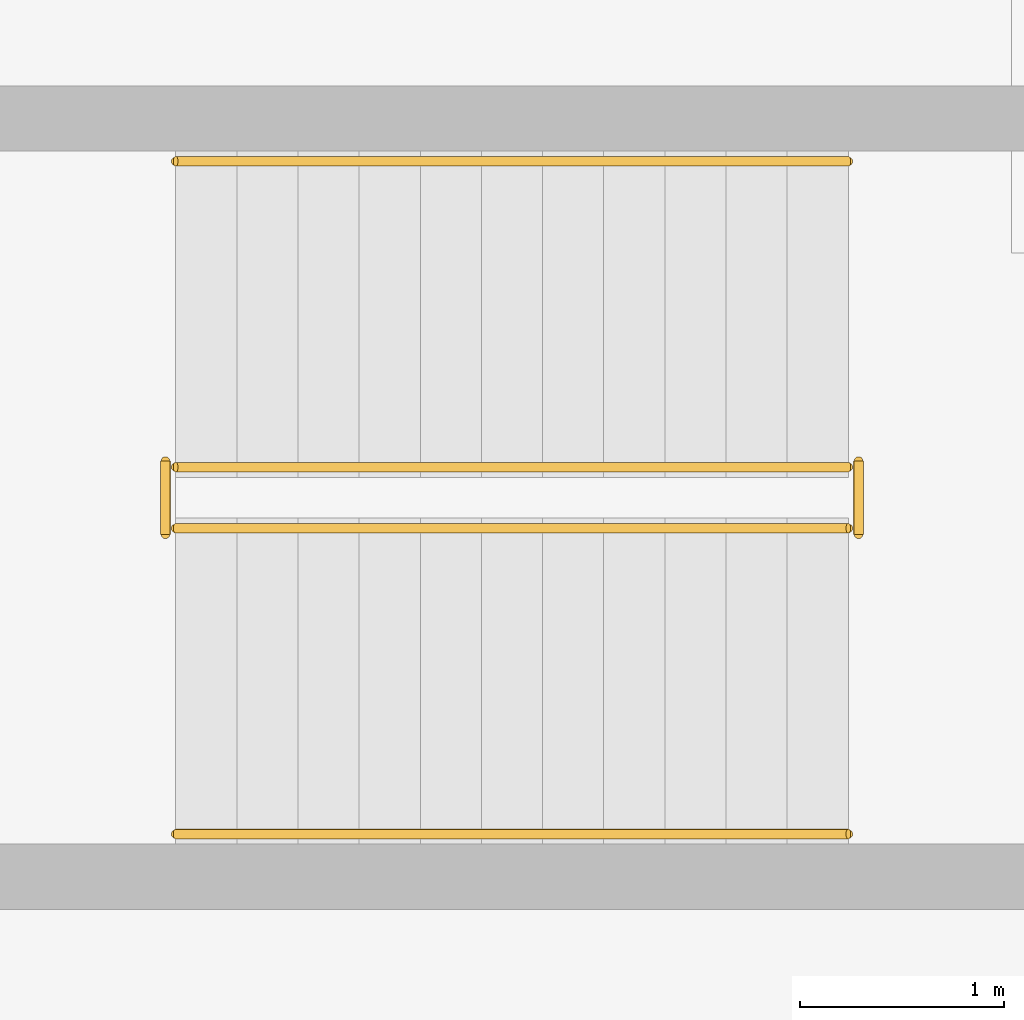
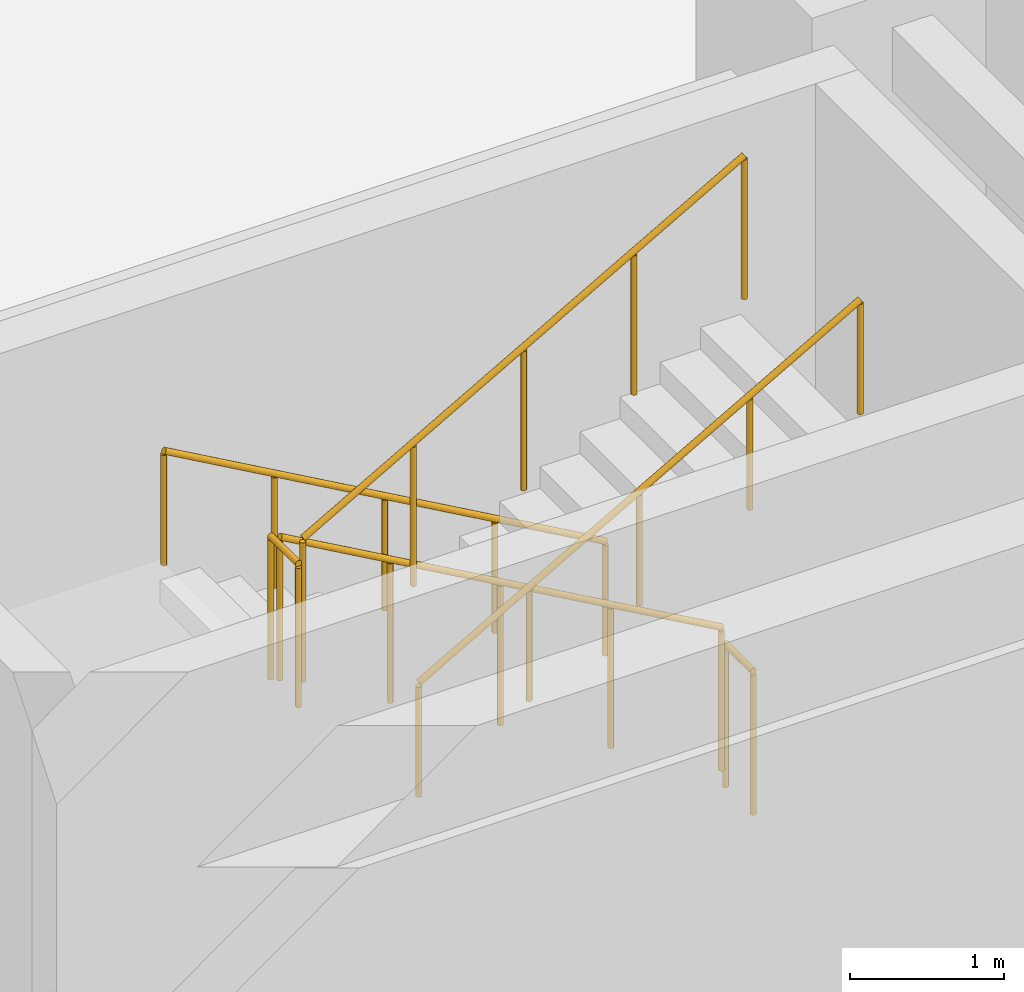
# One storey, part 19 of 20: 6 railings.
"""IFC4 building model written with IfcOpenShell, lengths in metres."""

from ifc_helpers import new_model, si_unit, direction, frame, origin, origin_2d, place, context, subcontext, project, spatial, circle, extrude, material, type_object, element, save


model = new_model("IFC4")

# Units and contexts
model_context = context("Model", 3, precision=1e-05, world=origin(), true_north=direction((0.0, 1.0)))
body_context = subcontext(model_context, "Body", "Model", "MODEL_VIEW")
ifc_project = project(units=[si_unit("LENGTHUNIT", "METRE"), si_unit("AREAUNIT", "SQUARE_METRE"), si_unit("VOLUMEUNIT", "CUBIC_METRE"), si_unit("PLANEANGLEUNIT", "RADIAN"), si_unit("MASSUNIT", "GRAM", prefix="KILO")], contexts=[model_context])

# Site, building, storey
site_placement = place(None, origin())
site = spatial("IfcSite", under=ifc_project, at=site_placement, CompositionType="ELEMENT")
building_placement = place(site_placement, origin())
building = spatial("IfcBuilding", under=site, at=building_placement, Name="Nzembalo Square Collegiate School", CompositionType="ELEMENT")
storey_placement = place(building_placement, frame((0.0, 0.0, -4.080078125)))
storey = spatial("IfcBuildingStorey", under=building, at=storey_placement, Name="B1", CompositionType="ELEMENT", Elevation=-4.080078125)

# Railings
ifc_material_1 = material(Name="Steel S355", Category="steel")
railing_type_1 = type_object("IfcRailingType", Name="GR01", PredefinedType="GUARDRAIL", material=ifc_material_1)
railing_1_placement = place(storey_placement, frame((147.300048828125, 47.449951171875, 0.16015625)))
element("IfcRailing", 1, at=railing_1_placement, inside=storey, type_object=railing_type_1, Name="Stair guard GR-18-1", PredefinedType="GUARDRAIL", context=body_context, shape_type="SweptSolid", body=[
    extrude(circle(Radius=0.02392578125, at=origin_2d()), frame((0.0, 0.0, 1.1259765625), z_axis=(-0.870039670856, 0.0, 0.49298171481), x_axis=(0.0, -1.0, 0.0)), (0.0, 0.0, 1.0), 3.79296875),
    extrude(circle(Radius=0.02099609375, at=origin_2d()), origin(), (0.0, 0.0, 1.0), 1.101806640625),
    extrude(circle(Radius=0.02099609375, at=origin_2d()), frame((-0.824951171875, 0.0, 0.467529296875)), (0.0, 0.0, 1.0), 1.101806640625),
    extrude(circle(Radius=0.02099609375, at=origin_2d()), frame((-1.64990234375, 0.0, 0.93505859375)), (0.0, 0.0, 1.0), 1.101806640625),
    extrude(circle(Radius=0.02099609375, at=origin_2d()), frame((-2.47509765625, 0.0, 1.40234375)), (0.0, 0.0, 1.0), 1.101806640625),
    extrude(circle(Radius=0.02099609375, at=origin_2d()), frame((-3.300048828125, 0.0, 1.869873046875)), (0.0, 0.0, 1.0), 1.101806640625),
])
railing_2_placement = place(storey_placement, frame((143.949951171875, 47.1201171875, 2.03515625)))
element("IfcRailing", 2, at=railing_2_placement, inside=storey, type_object=railing_type_1, Name="Stair guard GR-18-2", PredefinedType="GUARDRAIL", context=body_context, shape_type="SweptSolid", body=[
    extrude(circle(Radius=0.02392578125, at=origin_2d()), frame((0.0, 0.0, 1.1259765625), z_axis=(0.0, 1.0, 0.0), x_axis=(-1.0, 0.0, 0.0)), (0.0, 0.0, 1.0), 0.35986328125),
    extrude(circle(Radius=0.02099609375, at=origin_2d()), origin(), (0.0, 0.0, 1.0), 1.101806640625),
    extrude(circle(Radius=0.02099609375, at=origin_2d()), frame((0.0, 0.35986328125, 0.0)), (0.0, 0.0, 1.0), 1.101806640625),
])
railing_3_placement = place(storey_placement, frame((144.0, 47.14990234375, 2.2001953125)))
element("IfcRailing", 3, at=railing_3_placement, inside=storey, type_object=railing_type_1, Name="Stair guard GR-18-3", PredefinedType="GUARDRAIL", context=body_context, shape_type="SweptSolid", body=[
    extrude(circle(Radius=0.02392578125, at=origin_2d()), frame((0.0, 0.0, 1.1259765625), z_axis=(0.870039670856, 0.0, 0.49298171481), x_axis=(0.0, 1.0, 0.0)), (0.0, 0.0, 1.0), 3.79296875),
    extrude(circle(Radius=0.02099609375, at=origin_2d()), origin(), (0.0, 0.0, 1.0), 1.101806640625),
    extrude(circle(Radius=0.02099609375, at=origin_2d()), frame((0.824951171875, 0.0, 0.467529296875)), (0.0, 0.0, 1.0), 1.101806640625),
    extrude(circle(Radius=0.02099609375, at=origin_2d()), frame((1.64990234375, 0.0, 0.93505859375)), (0.0, 0.0, 1.0), 1.101806640625),
    extrude(circle(Radius=0.02099609375, at=origin_2d()), frame((2.47509765625, 0.0, 1.40234375)), (0.0, 0.0, 1.0), 1.101806640625),
    extrude(circle(Radius=0.02099609375, at=origin_2d()), frame((3.300048828125, 0.0, 1.869873046875)), (0.0, 0.0, 1.0), 1.101806640625),
])
railing_4_placement = place(storey_placement, frame((147.35009765625, 47.1201171875, -0.0048828125)))
element("IfcRailing", 4, at=railing_4_placement, inside=storey, type_object=railing_type_1, Name="Stair guard GR-18-4", PredefinedType="GUARDRAIL", context=body_context, shape_type="SweptSolid", body=[
    extrude(circle(Radius=0.02392578125, at=origin_2d()), frame((0.0, 0.0, 1.1259765625), z_axis=(0.0, 1.0, 0.0), x_axis=(-1.0, 0.0, 0.0)), (0.0, 0.0, 1.0), 0.35986328125),
    extrude(circle(Radius=0.02099609375, at=origin_2d()), origin(), (0.0, 0.0, 1.0), 1.101806640625),
    extrude(circle(Radius=0.02099609375, at=origin_2d()), frame((0.0, 0.35986328125, 0.0)), (0.0, 0.0, 1.0), 1.101806640625),
])
ifc_material_2 = material(Name="Steel S355", Category="steel")
railing_type_2 = type_object("IfcRailingType", Name="HR01", PredefinedType="HANDRAIL", material=ifc_material_2)
railing_5_placement = place(storey_placement, frame((147.300048828125, 48.949951171875, 0.16015625)))
element("IfcRailing", 5, at=railing_5_placement, inside=storey, type_object=railing_type_2, Name="Stair handrail HR-18-1", PredefinedType="HANDRAIL", context=body_context, shape_type="SweptSolid", body=[
    extrude(circle(Radius=0.02392578125, at=origin_2d()), frame((0.0, 0.0, 0.89599609375), z_axis=(-0.870039670856, 0.0, 0.49298171481), x_axis=(0.0, -1.0, 0.0)), (0.0, 0.0, 1.0), 3.79296875),
    extrude(circle(Radius=0.02099609375, at=origin_2d()), origin(), (0.0, 0.0, 1.0), 0.871826171875),
    extrude(circle(Radius=0.02099609375, at=origin_2d()), frame((-0.824951171875, 0.0, 0.467529296875)), (0.0, 0.0, 1.0), 0.871826171875),
    extrude(circle(Radius=0.02099609375, at=origin_2d()), frame((-1.64990234375, 0.0, 0.93505859375)), (0.0, 0.0, 1.0), 0.871826171875),
    extrude(circle(Radius=0.02099609375, at=origin_2d()), frame((-2.47509765625, 0.0, 1.40234375)), (0.0, 0.0, 1.0), 0.871826171875),
    extrude(circle(Radius=0.02099609375, at=origin_2d()), frame((-3.300048828125, 0.0, 1.869873046875)), (0.0, 0.0, 1.0), 0.871826171875),
])
railing_6_placement = place(storey_placement, frame((144.0, 45.64990234375, 2.2001953125)))
element("IfcRailing", 6, at=railing_6_placement, inside=storey, type_object=railing_type_2, Name="Stair handrail HR-18-2", PredefinedType="HANDRAIL", context=body_context, shape_type="SweptSolid", body=[
    extrude(circle(Radius=0.02392578125, at=origin_2d()), frame((0.0, 0.0, 0.89599609375), z_axis=(0.870039670856, 0.0, 0.49298171481), x_axis=(0.0, 1.0, 0.0)), (0.0, 0.0, 1.0), 3.79296875),
    extrude(circle(Radius=0.02099609375, at=origin_2d()), origin(), (0.0, 0.0, 1.0), 0.871826171875),
    extrude(circle(Radius=0.02099609375, at=origin_2d()), frame((0.824951171875, 0.0, 0.467529296875)), (0.0, 0.0, 1.0), 0.871826171875),
    extrude(circle(Radius=0.02099609375, at=origin_2d()), frame((1.64990234375, 0.0, 0.93505859375)), (0.0, 0.0, 1.0), 0.871826171875),
    extrude(circle(Radius=0.02099609375, at=origin_2d()), frame((2.47509765625, 0.0, 1.40234375)), (0.0, 0.0, 1.0), 0.871826171875),
    extrude(circle(Radius=0.02099609375, at=origin_2d()), frame((3.300048828125, 0.0, 1.869873046875)), (0.0, 0.0, 1.0), 0.871826171875),
])

save(model, "model.ifc")
